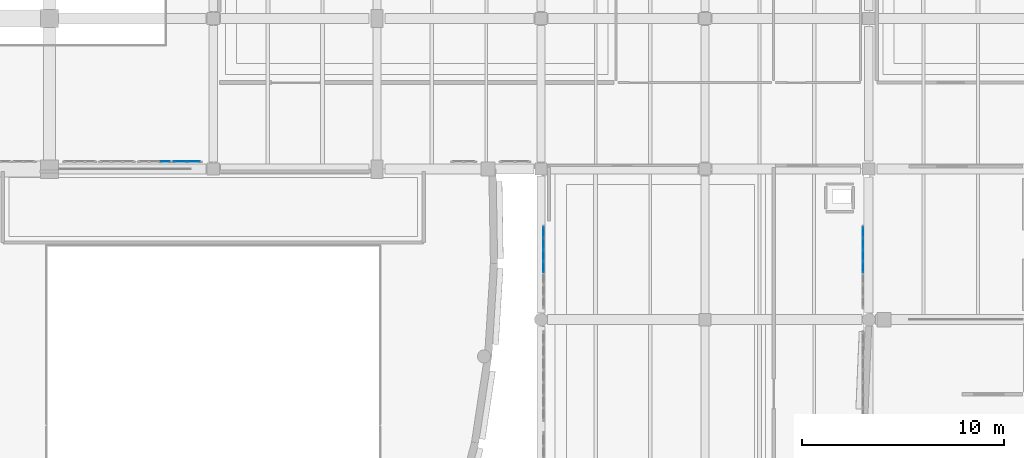
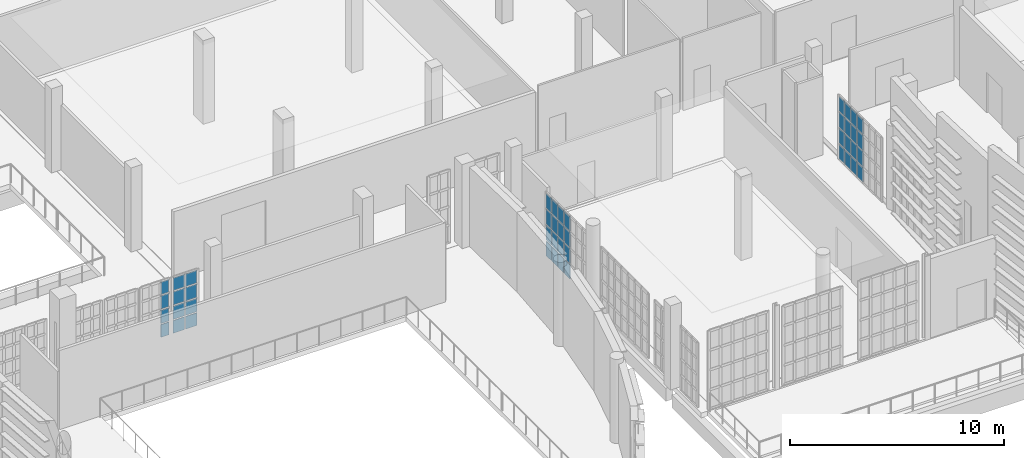
# One storey, part 86 of 104: 44 plates, 4 elements without a shape of their own.
"""IFC4 building model written with IfcOpenShell, lengths in metres."""

from ifc_helpers import new_model, si_unit, direction, frame, origin, origin_2d, place, context, subcontext, project, spatial, rectangle, extrude, material, layer, layer_set, type_object, element, aggregate, save


model = new_model("IFC4")

# Units and contexts
model_context = context("Model", 3, precision=1e-05, world=origin(), true_north=direction((0.0, 1.0)))
body_context = subcontext(model_context, "Body", "Model", "MODEL_VIEW")
ifc_project = project(units=[si_unit("LENGTHUNIT", "METRE"), si_unit("AREAUNIT", "SQUARE_METRE"), si_unit("VOLUMEUNIT", "CUBIC_METRE"), si_unit("PLANEANGLEUNIT", "RADIAN"), si_unit("MASSUNIT", "GRAM", prefix="KILO")], contexts=[model_context])

# Site, building, storey
site_placement = place(None, origin())
site = spatial("IfcSite", under=ifc_project, at=site_placement, CompositionType="ELEMENT")
building_placement = place(site_placement, origin())
building = spatial("IfcBuilding", under=site, at=building_placement, Name="Kaelora Sail Theatre", CompositionType="ELEMENT")
storey_placement = place(building_placement, frame((0.0, 0.0, 5.39990234375)))
storey = spatial("IfcBuildingStorey", under=building, at=storey_placement, Name="L01", CompositionType="ELEMENT", Elevation=5.39990234375)

# Curtain wall, plates
ifc_material_1 = material(Name="Anodised aluminium and solar-control low-E IGU", Category="aluminium")
curtain_wall_type_1 = type_object("IfcCurtainWallType", Name="ARC-CW-CW-PROW", PredefinedType="NOTDEFINED", material=ifc_material_1)
curtain_wall_1_placement = place(storey_placement, origin())
curtain_wall_1 = element("IfcCurtainWall", 1, at=curtain_wall_1_placement, inside=storey, type_object=curtain_wall_type_1, Name="East Interstitial Foyer West Glazed Return L01-03", PredefinedType="NOTDEFINED")
ifc_material_2 = material(Name="Solar-control laminated low-E glass", Category="glass")
ifc_layer = layer(ifc_material_2, 0.031982421875)
ifc_layer_set = layer_set([ifc_layer], Name="Solar-control laminated low-E glass")
plate_type = type_object("IfcPlateType", Name="ARC-CW-PNL", PredefinedType="CURTAIN_PANEL", material=ifc_layer_set)
plate_1_placement = place(storey_placement, frame((106.919921875, 56.1826171875, 0.0703125), z_axis=(0.0, 0.0, 1.0), x_axis=(0.0, 1.0, 0.0)))
plate_1 = element("IfcPlate", 2, at=plate_1_placement, type_object=plate_type, Name="CW-PROW panel 4.1", PredefinedType="CURTAIN_PANEL", context=body_context, shape_type="SweptSolid", body=[
    extrude(rectangle(XDim=0.516357421875, YDim=0.031982421875, at=origin_2d()), origin(), (0.0, 0.0, 1.0), 0.816650390625),
])
plate_2_placement = place(storey_placement, frame((106.919921875, 56.1826171875, 0.95703125), z_axis=(0.0, 0.0, 1.0), x_axis=(0.0, 1.0, 0.0)))
plate_2 = element("IfcPlate", 3, at=plate_2_placement, type_object=plate_type, Name="CW-PROW panel 4.2", PredefinedType="CURTAIN_PANEL", context=body_context, shape_type="SweptSolid", body=[
    extrude(rectangle(XDim=0.516357421875, YDim=0.031982421875, at=origin_2d()), origin(), (0.0, 0.0, 1.0), 0.851806640625),
])
plate_3_placement = place(storey_placement, frame((106.919921875, 56.1826171875, 1.87841796875), z_axis=(0.0, 0.0, 1.0), x_axis=(0.0, 1.0, 0.0)))
plate_3 = element("IfcPlate", 4, at=plate_3_placement, type_object=plate_type, Name="CW-PROW panel 4.3", PredefinedType="CURTAIN_PANEL", context=body_context, shape_type="SweptSolid", body=[
    extrude(rectangle(XDim=0.516357421875, YDim=0.031982421875, at=origin_2d()), origin(), (0.0, 0.0, 1.0), 0.851806640625),
])
plate_4_placement = place(storey_placement, frame((106.919921875, 56.1826171875, 2.80029296875), z_axis=(0.0, 0.0, 1.0), x_axis=(0.0, 1.0, 0.0)))
plate_4 = element("IfcPlate", 5, at=plate_4_placement, type_object=plate_type, Name="CW-PROW panel 4.4", PredefinedType="CURTAIN_PANEL", context=body_context, shape_type="SweptSolid", body=[
    extrude(rectangle(XDim=0.516357421875, YDim=0.031982421875, at=origin_2d()), origin(), (0.0, 0.0, 1.0), 0.816650390625),
])
plate_5_placement = place(storey_placement, frame((106.919921875, 56.759033203125, 0.0703125), z_axis=(0.0, 0.0, 1.0), x_axis=(0.0, 1.0, 0.0)))
plate_5 = element("IfcPlate", 6, at=plate_5_placement, type_object=plate_type, Name="CW-PROW panel 5.1", PredefinedType="CURTAIN_PANEL", context=body_context, shape_type="SweptSolid", body=[
    extrude(rectangle(XDim=0.516357421875, YDim=0.031982421875, at=origin_2d()), origin(), (0.0, 0.0, 1.0), 0.816650390625),
])
plate_6_placement = place(storey_placement, frame((106.919921875, 56.759033203125, 0.95703125), z_axis=(0.0, 0.0, 1.0), x_axis=(0.0, 1.0, 0.0)))
plate_6 = element("IfcPlate", 7, at=plate_6_placement, type_object=plate_type, Name="CW-PROW panel 5.2", PredefinedType="CURTAIN_PANEL", context=body_context, shape_type="SweptSolid", body=[
    extrude(rectangle(XDim=0.516357421875, YDim=0.031982421875, at=origin_2d()), origin(), (0.0, 0.0, 1.0), 0.851806640625),
])
plate_7_placement = place(storey_placement, frame((106.919921875, 56.759033203125, 1.87841796875), z_axis=(0.0, 0.0, 1.0), x_axis=(0.0, 1.0, 0.0)))
plate_7 = element("IfcPlate", 8, at=plate_7_placement, type_object=plate_type, Name="CW-PROW panel 5.3", PredefinedType="CURTAIN_PANEL", context=body_context, shape_type="SweptSolid", body=[
    extrude(rectangle(XDim=0.516357421875, YDim=0.031982421875, at=origin_2d()), origin(), (0.0, 0.0, 1.0), 0.851806640625),
])
plate_8_placement = place(storey_placement, frame((106.919921875, 56.759033203125, 2.80029296875), z_axis=(0.0, 0.0, 1.0), x_axis=(0.0, 1.0, 0.0)))
plate_8 = element("IfcPlate", 9, at=plate_8_placement, type_object=plate_type, Name="CW-PROW panel 5.4", PredefinedType="CURTAIN_PANEL", context=body_context, shape_type="SweptSolid", body=[
    extrude(rectangle(XDim=0.516357421875, YDim=0.031982421875, at=origin_2d()), origin(), (0.0, 0.0, 1.0), 0.816650390625),
])
plate_9_placement = place(storey_placement, frame((106.919921875, 57.33544921875, 0.0703125), z_axis=(0.0, 0.0, 1.0), x_axis=(0.0, 1.0, 0.0)))
plate_9 = element("IfcPlate", 10, at=plate_9_placement, type_object=plate_type, Name="CW-PROW panel 6.1", PredefinedType="CURTAIN_PANEL", context=body_context, shape_type="SweptSolid", body=[
    extrude(rectangle(XDim=0.516357421875, YDim=0.031982421875, at=origin_2d()), origin(), (0.0, 0.0, 1.0), 0.816650390625),
])
plate_10_placement = place(storey_placement, frame((106.919921875, 57.33544921875, 0.95703125), z_axis=(0.0, 0.0, 1.0), x_axis=(0.0, 1.0, 0.0)))
plate_10 = element("IfcPlate", 11, at=plate_10_placement, type_object=plate_type, Name="CW-PROW panel 6.2", PredefinedType="CURTAIN_PANEL", context=body_context, shape_type="SweptSolid", body=[
    extrude(rectangle(XDim=0.516357421875, YDim=0.031982421875, at=origin_2d()), origin(), (0.0, 0.0, 1.0), 0.851806640625),
])
plate_11_placement = place(storey_placement, frame((106.919921875, 57.33544921875, 1.87841796875), z_axis=(0.0, 0.0, 1.0), x_axis=(0.0, 1.0, 0.0)))
plate_11 = element("IfcPlate", 12, at=plate_11_placement, type_object=plate_type, Name="CW-PROW panel 6.3", PredefinedType="CURTAIN_PANEL", context=body_context, shape_type="SweptSolid", body=[
    extrude(rectangle(XDim=0.516357421875, YDim=0.031982421875, at=origin_2d()), origin(), (0.0, 0.0, 1.0), 0.851806640625),
])
plate_12_placement = place(storey_placement, frame((106.919921875, 57.33544921875, 2.80029296875), z_axis=(0.0, 0.0, 1.0), x_axis=(0.0, 1.0, 0.0)))
plate_12 = element("IfcPlate", 13, at=plate_12_placement, type_object=plate_type, Name="CW-PROW panel 6.4", PredefinedType="CURTAIN_PANEL", context=body_context, shape_type="SweptSolid", body=[
    extrude(rectangle(XDim=0.516357421875, YDim=0.031982421875, at=origin_2d()), origin(), (0.0, 0.0, 1.0), 0.816650390625),
])
plate_13_placement = place(storey_placement, frame((106.919921875, 57.896728515625, 0.0703125), z_axis=(0.0, 0.0, 1.0), x_axis=(0.0, 1.0, 0.0)))
plate_13 = element("IfcPlate", 14, at=plate_13_placement, type_object=plate_type, Name="CW-PROW panel 7.1", PredefinedType="CURTAIN_PANEL", context=body_context, shape_type="SweptSolid", body=[
    extrude(rectangle(XDim=0.486328125, YDim=0.031982421875, at=origin_2d()), origin(), (0.0, 0.0, 1.0), 0.816650390625),
])
plate_14_placement = place(storey_placement, frame((106.919921875, 57.896728515625, 0.95703125), z_axis=(0.0, 0.0, 1.0), x_axis=(0.0, 1.0, 0.0)))
plate_14 = element("IfcPlate", 15, at=plate_14_placement, type_object=plate_type, Name="CW-PROW panel 7.2", PredefinedType="CURTAIN_PANEL", context=body_context, shape_type="SweptSolid", body=[
    extrude(rectangle(XDim=0.486328125, YDim=0.031982421875, at=origin_2d()), origin(), (0.0, 0.0, 1.0), 0.851806640625),
])
plate_15_placement = place(storey_placement, frame((106.919921875, 57.896728515625, 1.87841796875), z_axis=(0.0, 0.0, 1.0), x_axis=(0.0, 1.0, 0.0)))
plate_15 = element("IfcPlate", 16, at=plate_15_placement, type_object=plate_type, Name="CW-PROW panel 7.3", PredefinedType="CURTAIN_PANEL", context=body_context, shape_type="SweptSolid", body=[
    extrude(rectangle(XDim=0.486328125, YDim=0.031982421875, at=origin_2d()), origin(), (0.0, 0.0, 1.0), 0.851806640625),
])
plate_16_placement = place(storey_placement, frame((106.919921875, 57.896728515625, 2.80029296875), z_axis=(0.0, 0.0, 1.0), x_axis=(0.0, 1.0, 0.0)))
plate_16 = element("IfcPlate", 17, at=plate_16_placement, type_object=plate_type, Name="CW-PROW panel 7.4", PredefinedType="CURTAIN_PANEL", context=body_context, shape_type="SweptSolid", body=[
    extrude(rectangle(XDim=0.486328125, YDim=0.031982421875, at=origin_2d()), origin(), (0.0, 0.0, 1.0), 0.816650390625),
])
aggregate(curtain_wall_1, [plate_1, plate_2, plate_3, plate_4, plate_5, plate_6, plate_7, plate_8, plate_9, plate_10, plate_11, plate_12, plate_13, plate_14, plate_15, plate_16])

curtain_wall_2_placement = place(storey_placement, origin())
curtain_wall_2 = element("IfcCurtainWall", 18, at=curtain_wall_2_placement, inside=storey, type_object=curtain_wall_type_1, Name="East Interstitial Foyer East Glazed Return L01-03", PredefinedType="NOTDEFINED")
plate_17_placement = place(storey_placement, frame((122.719970703125, 56.1826171875, 0.0703125), z_axis=(0.0, 0.0, 1.0), x_axis=(0.0, 1.0, 0.0)))
plate_17 = element("IfcPlate", 19, at=plate_17_placement, type_object=plate_type, Name="CW-PROW panel 4.1", PredefinedType="CURTAIN_PANEL", context=body_context, shape_type="SweptSolid", body=[
    extrude(rectangle(XDim=0.516357421875, YDim=0.031982421875, at=origin_2d()), origin(), (0.0, 0.0, 1.0), 0.816650390625),
])
plate_18_placement = place(storey_placement, frame((122.719970703125, 56.1826171875, 0.95703125), z_axis=(0.0, 0.0, 1.0), x_axis=(0.0, 1.0, 0.0)))
plate_18 = element("IfcPlate", 20, at=plate_18_placement, type_object=plate_type, Name="CW-PROW panel 4.2", PredefinedType="CURTAIN_PANEL", context=body_context, shape_type="SweptSolid", body=[
    extrude(rectangle(XDim=0.516357421875, YDim=0.031982421875, at=origin_2d()), origin(), (0.0, 0.0, 1.0), 0.851806640625),
])
plate_19_placement = place(storey_placement, frame((122.719970703125, 56.1826171875, 1.87841796875), z_axis=(0.0, 0.0, 1.0), x_axis=(0.0, 1.0, 0.0)))
plate_19 = element("IfcPlate", 21, at=plate_19_placement, type_object=plate_type, Name="CW-PROW panel 4.3", PredefinedType="CURTAIN_PANEL", context=body_context, shape_type="SweptSolid", body=[
    extrude(rectangle(XDim=0.516357421875, YDim=0.031982421875, at=origin_2d()), origin(), (0.0, 0.0, 1.0), 0.851806640625),
])
plate_20_placement = place(storey_placement, frame((122.719970703125, 56.1826171875, 2.80029296875), z_axis=(0.0, 0.0, 1.0), x_axis=(0.0, 1.0, 0.0)))
plate_20 = element("IfcPlate", 22, at=plate_20_placement, type_object=plate_type, Name="CW-PROW panel 4.4", PredefinedType="CURTAIN_PANEL", context=body_context, shape_type="SweptSolid", body=[
    extrude(rectangle(XDim=0.516357421875, YDim=0.031982421875, at=origin_2d()), origin(), (0.0, 0.0, 1.0), 0.816650390625),
])
plate_21_placement = place(storey_placement, frame((122.719970703125, 56.759033203125, 0.0703125), z_axis=(0.0, 0.0, 1.0), x_axis=(0.0, 1.0, 0.0)))
plate_21 = element("IfcPlate", 23, at=plate_21_placement, type_object=plate_type, Name="CW-PROW panel 5.1", PredefinedType="CURTAIN_PANEL", context=body_context, shape_type="SweptSolid", body=[
    extrude(rectangle(XDim=0.516357421875, YDim=0.031982421875, at=origin_2d()), origin(), (0.0, 0.0, 1.0), 0.816650390625),
])
plate_22_placement = place(storey_placement, frame((122.719970703125, 56.759033203125, 0.95703125), z_axis=(0.0, 0.0, 1.0), x_axis=(0.0, 1.0, 0.0)))
plate_22 = element("IfcPlate", 24, at=plate_22_placement, type_object=plate_type, Name="CW-PROW panel 5.2", PredefinedType="CURTAIN_PANEL", context=body_context, shape_type="SweptSolid", body=[
    extrude(rectangle(XDim=0.516357421875, YDim=0.031982421875, at=origin_2d()), origin(), (0.0, 0.0, 1.0), 0.851806640625),
])
plate_23_placement = place(storey_placement, frame((122.719970703125, 56.759033203125, 1.87841796875), z_axis=(0.0, 0.0, 1.0), x_axis=(0.0, 1.0, 0.0)))
plate_23 = element("IfcPlate", 25, at=plate_23_placement, type_object=plate_type, Name="CW-PROW panel 5.3", PredefinedType="CURTAIN_PANEL", context=body_context, shape_type="SweptSolid", body=[
    extrude(rectangle(XDim=0.516357421875, YDim=0.031982421875, at=origin_2d()), origin(), (0.0, 0.0, 1.0), 0.851806640625),
])
plate_24_placement = place(storey_placement, frame((122.719970703125, 56.759033203125, 2.80029296875), z_axis=(0.0, 0.0, 1.0), x_axis=(0.0, 1.0, 0.0)))
plate_24 = element("IfcPlate", 26, at=plate_24_placement, type_object=plate_type, Name="CW-PROW panel 5.4", PredefinedType="CURTAIN_PANEL", context=body_context, shape_type="SweptSolid", body=[
    extrude(rectangle(XDim=0.516357421875, YDim=0.031982421875, at=origin_2d()), origin(), (0.0, 0.0, 1.0), 0.816650390625),
])
plate_25_placement = place(storey_placement, frame((122.719970703125, 57.33544921875, 0.0703125), z_axis=(0.0, 0.0, 1.0), x_axis=(0.0, 1.0, 0.0)))
plate_25 = element("IfcPlate", 27, at=plate_25_placement, type_object=plate_type, Name="CW-PROW panel 6.1", PredefinedType="CURTAIN_PANEL", context=body_context, shape_type="SweptSolid", body=[
    extrude(rectangle(XDim=0.516357421875, YDim=0.031982421875, at=origin_2d()), origin(), (0.0, 0.0, 1.0), 0.816650390625),
])
plate_26_placement = place(storey_placement, frame((122.719970703125, 57.33544921875, 0.95703125), z_axis=(0.0, 0.0, 1.0), x_axis=(0.0, 1.0, 0.0)))
plate_26 = element("IfcPlate", 28, at=plate_26_placement, type_object=plate_type, Name="CW-PROW panel 6.2", PredefinedType="CURTAIN_PANEL", context=body_context, shape_type="SweptSolid", body=[
    extrude(rectangle(XDim=0.516357421875, YDim=0.031982421875, at=origin_2d()), origin(), (0.0, 0.0, 1.0), 0.851806640625),
])
plate_27_placement = place(storey_placement, frame((122.719970703125, 57.33544921875, 1.87841796875), z_axis=(0.0, 0.0, 1.0), x_axis=(0.0, 1.0, 0.0)))
plate_27 = element("IfcPlate", 29, at=plate_27_placement, type_object=plate_type, Name="CW-PROW panel 6.3", PredefinedType="CURTAIN_PANEL", context=body_context, shape_type="SweptSolid", body=[
    extrude(rectangle(XDim=0.516357421875, YDim=0.031982421875, at=origin_2d()), origin(), (0.0, 0.0, 1.0), 0.851806640625),
])
plate_28_placement = place(storey_placement, frame((122.719970703125, 57.33544921875, 2.80029296875), z_axis=(0.0, 0.0, 1.0), x_axis=(0.0, 1.0, 0.0)))
plate_28 = element("IfcPlate", 30, at=plate_28_placement, type_object=plate_type, Name="CW-PROW panel 6.4", PredefinedType="CURTAIN_PANEL", context=body_context, shape_type="SweptSolid", body=[
    extrude(rectangle(XDim=0.516357421875, YDim=0.031982421875, at=origin_2d()), origin(), (0.0, 0.0, 1.0), 0.816650390625),
])
plate_29_placement = place(storey_placement, frame((122.719970703125, 57.896728515625, 0.0703125), z_axis=(0.0, 0.0, 1.0), x_axis=(0.0, 1.0, 0.0)))
plate_29 = element("IfcPlate", 31, at=plate_29_placement, type_object=plate_type, Name="CW-PROW panel 7.1", PredefinedType="CURTAIN_PANEL", context=body_context, shape_type="SweptSolid", body=[
    extrude(rectangle(XDim=0.486328125, YDim=0.031982421875, at=origin_2d()), origin(), (0.0, 0.0, 1.0), 0.816650390625),
])
plate_30_placement = place(storey_placement, frame((122.719970703125, 57.896728515625, 0.95703125), z_axis=(0.0, 0.0, 1.0), x_axis=(0.0, 1.0, 0.0)))
plate_30 = element("IfcPlate", 32, at=plate_30_placement, type_object=plate_type, Name="CW-PROW panel 7.2", PredefinedType="CURTAIN_PANEL", context=body_context, shape_type="SweptSolid", body=[
    extrude(rectangle(XDim=0.486328125, YDim=0.031982421875, at=origin_2d()), origin(), (0.0, 0.0, 1.0), 0.851806640625),
])
plate_31_placement = place(storey_placement, frame((122.719970703125, 57.896728515625, 1.87841796875), z_axis=(0.0, 0.0, 1.0), x_axis=(0.0, 1.0, 0.0)))
plate_31 = element("IfcPlate", 33, at=plate_31_placement, type_object=plate_type, Name="CW-PROW panel 7.3", PredefinedType="CURTAIN_PANEL", context=body_context, shape_type="SweptSolid", body=[
    extrude(rectangle(XDim=0.486328125, YDim=0.031982421875, at=origin_2d()), origin(), (0.0, 0.0, 1.0), 0.851806640625),
])
plate_32_placement = place(storey_placement, frame((122.719970703125, 57.896728515625, 2.80029296875), z_axis=(0.0, 0.0, 1.0), x_axis=(0.0, 1.0, 0.0)))
plate_32 = element("IfcPlate", 34, at=plate_32_placement, type_object=plate_type, Name="CW-PROW panel 7.4", PredefinedType="CURTAIN_PANEL", context=body_context, shape_type="SweptSolid", body=[
    extrude(rectangle(XDim=0.486328125, YDim=0.031982421875, at=origin_2d()), origin(), (0.0, 0.0, 1.0), 0.816650390625),
])
aggregate(curtain_wall_2, [plate_17, plate_18, plate_19, plate_20, plate_21, plate_22, plate_23, plate_24, plate_25, plate_26, plate_27, plate_28, plate_29, plate_30, plate_31, plate_32])

ifc_material_3 = material(Name="Anodised aluminium and solar-control low-E IGU", Category="aluminium")
curtain_wall_type_2 = type_object("IfcCurtainWallType", Name="ARC-CW-CW-FOY2", PredefinedType="NOTDEFINED", material=ifc_material_3)
curtain_wall_3_placement = place(storey_placement, origin())
curtain_wall_3 = element("IfcCurtainWall", 35, at=curtain_wall_3_placement, inside=storey, type_object=curtain_wall_type_2, Name="Glazed Foyer/Conservatory Curtain Wall FC1-S-L01-07", PredefinedType="NOTDEFINED")
plate_33_placement = place(storey_placement, frame((88.21826171875, 61.389892578125, 0.070068359375), z_axis=(0.0, 0.0, 1.0), x_axis=(1.0, 0.0, 0.0)))
plate_33 = element("IfcPlate", 36, at=plate_33_placement, type_object=plate_type, Name="CW-FOY2 panel 3.1", PredefinedType="CURTAIN_PANEL", context=body_context, shape_type="SweptSolid", body=[
    extrude(rectangle(XDim=0.443359375, YDim=0.031982421875, at=origin_2d()), origin(), (0.0, 0.0, 1.0), 0.716796875),
])
plate_34_placement = place(storey_placement, frame((88.21826171875, 61.389892578125, 0.85693359375), z_axis=(0.0, 0.0, 1.0), x_axis=(1.0, 0.0, 0.0)))
plate_34 = element("IfcPlate", 37, at=plate_34_placement, type_object=plate_type, Name="CW-FOY2 panel 3.2", PredefinedType="CURTAIN_PANEL", context=body_context, shape_type="SweptSolid", body=[
    extrude(rectangle(XDim=0.443359375, YDim=0.031982421875, at=origin_2d()), origin(), (0.0, 0.0, 1.0), 0.751708984375),
])
plate_35_placement = place(storey_placement, frame((88.21826171875, 61.389892578125, 1.6787109375), z_axis=(0.0, 0.0, 1.0), x_axis=(1.0, 0.0, 0.0)))
plate_35 = element("IfcPlate", 38, at=plate_35_placement, type_object=plate_type, Name="CW-FOY2 panel 3.3", PredefinedType="CURTAIN_PANEL", context=body_context, shape_type="SweptSolid", body=[
    extrude(rectangle(XDim=0.443359375, YDim=0.031982421875, at=origin_2d()), origin(), (0.0, 0.0, 1.0), 0.751708984375),
])
plate_36_placement = place(storey_placement, frame((88.21826171875, 61.389892578125, 2.500244140625), z_axis=(0.0, 0.0, 1.0), x_axis=(1.0, 0.0, 0.0)))
plate_36 = element("IfcPlate", 39, at=plate_36_placement, type_object=plate_type, Name="CW-FOY2 panel 3.4", PredefinedType="CURTAIN_PANEL", context=body_context, shape_type="SweptSolid", body=[
    extrude(rectangle(XDim=0.443359375, YDim=0.031982421875, at=origin_2d()), origin(), (0.0, 0.0, 1.0), 0.716796875),
])
aggregate(curtain_wall_3, [plate_33, plate_34, plate_35, plate_36])

curtain_wall_4_placement = place(storey_placement, origin())
curtain_wall_4 = element("IfcCurtainWall", 40, at=curtain_wall_4_placement, inside=storey, type_object=curtain_wall_type_2, Name="Glazed Foyer/Conservatory Curtain Wall FC1-S-L01-08", PredefinedType="NOTDEFINED")
plate_37_placement = place(storey_placement, frame((88.965087890625, 61.389892578125, 0.070068359375), z_axis=(0.0, 0.0, 1.0), x_axis=(1.0, 0.0, 0.0)))
plate_37 = element("IfcPlate", 41, at=plate_37_placement, type_object=plate_type, Name="CW-FOY2 panel 1.1", PredefinedType="CURTAIN_PANEL", context=body_context, shape_type="SweptSolid", body=[
    extrude(rectangle(XDim=0.610107421875, YDim=0.031982421875, at=origin_2d()), origin(), (0.0, 0.0, 1.0), 0.716796875),
])
plate_38_placement = place(storey_placement, frame((88.965087890625, 61.389892578125, 0.85693359375), z_axis=(0.0, 0.0, 1.0), x_axis=(1.0, 0.0, 0.0)))
plate_38 = element("IfcPlate", 42, at=plate_38_placement, type_object=plate_type, Name="CW-FOY2 panel 1.2", PredefinedType="CURTAIN_PANEL", context=body_context, shape_type="SweptSolid", body=[
    extrude(rectangle(XDim=0.610107421875, YDim=0.031982421875, at=origin_2d()), origin(), (0.0, 0.0, 1.0), 0.751708984375),
])
plate_39_placement = place(storey_placement, frame((88.965087890625, 61.389892578125, 1.6787109375), z_axis=(0.0, 0.0, 1.0), x_axis=(1.0, 0.0, 0.0)))
plate_39 = element("IfcPlate", 43, at=plate_39_placement, type_object=plate_type, Name="CW-FOY2 panel 1.3", PredefinedType="CURTAIN_PANEL", context=body_context, shape_type="SweptSolid", body=[
    extrude(rectangle(XDim=0.610107421875, YDim=0.031982421875, at=origin_2d()), origin(), (0.0, 0.0, 1.0), 0.751708984375),
])
plate_40_placement = place(storey_placement, frame((88.965087890625, 61.389892578125, 2.500244140625), z_axis=(0.0, 0.0, 1.0), x_axis=(1.0, 0.0, 0.0)))
plate_40 = element("IfcPlate", 44, at=plate_40_placement, type_object=plate_type, Name="CW-FOY2 panel 1.4", PredefinedType="CURTAIN_PANEL", context=body_context, shape_type="SweptSolid", body=[
    extrude(rectangle(XDim=0.610107421875, YDim=0.031982421875, at=origin_2d()), origin(), (0.0, 0.0, 1.0), 0.716796875),
])
plate_41_placement = place(storey_placement, frame((89.635009765625, 61.389892578125, 0.070068359375), z_axis=(0.0, 0.0, 1.0), x_axis=(1.0, 0.0, 0.0)))
plate_41 = element("IfcPlate", 45, at=plate_41_placement, type_object=plate_type, Name="CW-FOY2 panel 2.1", PredefinedType="CURTAIN_PANEL", context=body_context, shape_type="SweptSolid", body=[
    extrude(rectangle(XDim=0.610107421875, YDim=0.031982421875, at=origin_2d()), origin(), (0.0, 0.0, 1.0), 0.716796875),
])
plate_42_placement = place(storey_placement, frame((89.635009765625, 61.389892578125, 0.85693359375), z_axis=(0.0, 0.0, 1.0), x_axis=(1.0, 0.0, 0.0)))
plate_42 = element("IfcPlate", 46, at=plate_42_placement, type_object=plate_type, Name="CW-FOY2 panel 2.2", PredefinedType="CURTAIN_PANEL", context=body_context, shape_type="SweptSolid", body=[
    extrude(rectangle(XDim=0.610107421875, YDim=0.031982421875, at=origin_2d()), origin(), (0.0, 0.0, 1.0), 0.751708984375),
])
plate_43_placement = place(storey_placement, frame((89.635009765625, 61.389892578125, 1.6787109375), z_axis=(0.0, 0.0, 1.0), x_axis=(1.0, 0.0, 0.0)))
plate_43 = element("IfcPlate", 47, at=plate_43_placement, type_object=plate_type, Name="CW-FOY2 panel 2.3", PredefinedType="CURTAIN_PANEL", context=body_context, shape_type="SweptSolid", body=[
    extrude(rectangle(XDim=0.610107421875, YDim=0.031982421875, at=origin_2d()), origin(), (0.0, 0.0, 1.0), 0.751708984375),
])
plate_44_placement = place(storey_placement, frame((89.635009765625, 61.389892578125, 2.500244140625), z_axis=(0.0, 0.0, 1.0), x_axis=(1.0, 0.0, 0.0)))
plate_44 = element("IfcPlate", 48, at=plate_44_placement, type_object=plate_type, Name="CW-FOY2 panel 2.4", PredefinedType="CURTAIN_PANEL", context=body_context, shape_type="SweptSolid", body=[
    extrude(rectangle(XDim=0.610107421875, YDim=0.031982421875, at=origin_2d()), origin(), (0.0, 0.0, 1.0), 0.716796875),
])
aggregate(curtain_wall_4, [plate_37, plate_38, plate_39, plate_40, plate_41, plate_42, plate_43, plate_44])

save(model, "model.ifc")
